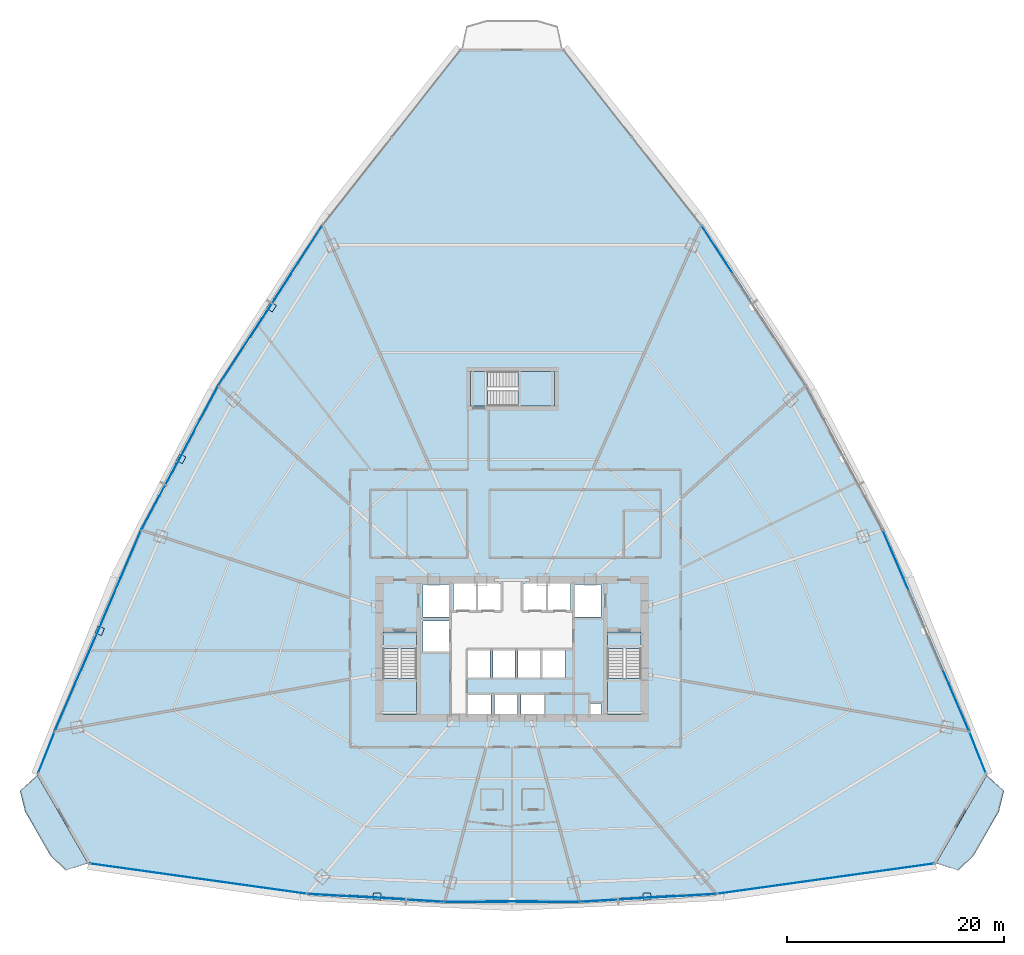
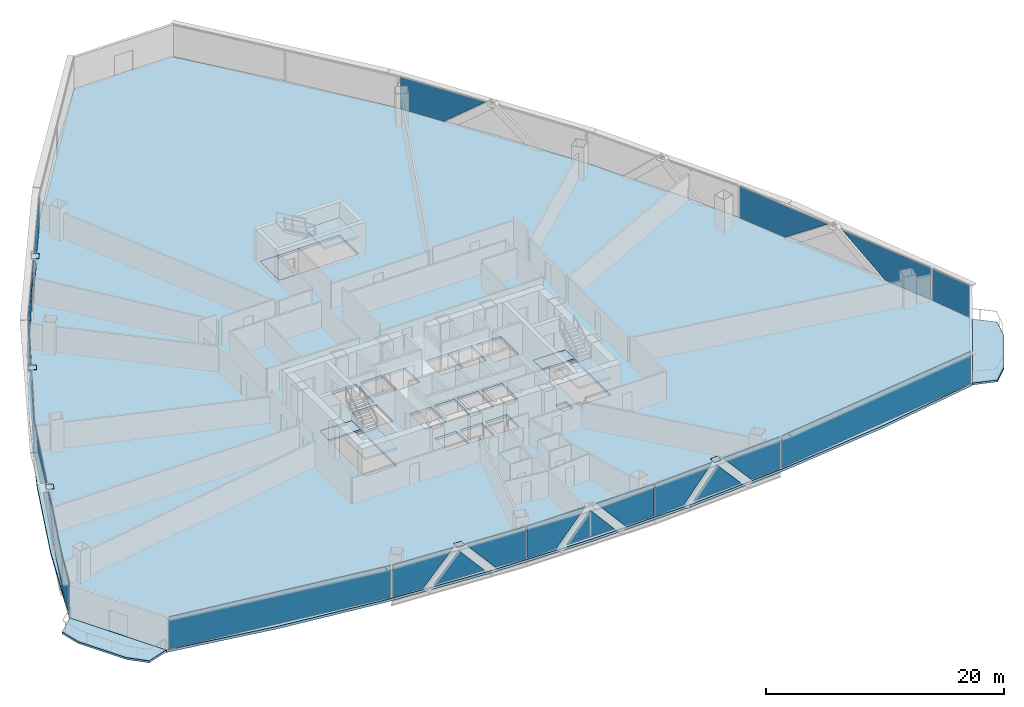
# One storey, part 28 of 38: 30 plates, 9 slabs, 15 elements without a shape of their own.
"""IFC4 building model written with IfcOpenShell, lengths in metres."""

from ifc_helpers import new_model, si_unit, direction, frame, origin, origin_2d, place, context, subcontext, project, spatial, polyline, rectangle, outline, extrude, source, transform, mapped, material, layer, layer_set, type_object, element, aggregate, save


model = new_model("IFC4")

# Units and contexts
model_context = context("Model", 3, precision=1e-05, world=origin(), true_north=direction((0.0, 1.0)))
body_context = subcontext(model_context, "Body", "Model", "MODEL_VIEW")
ifc_project = project(units=[si_unit("LENGTHUNIT", "METRE"), si_unit("AREAUNIT", "SQUARE_METRE"), si_unit("VOLUMEUNIT", "CUBIC_METRE"), si_unit("PLANEANGLEUNIT", "RADIAN"), si_unit("MASSUNIT", "GRAM", prefix="KILO"), si_unit("THERMODYNAMICTEMPERATUREUNIT", "KELVIN"), si_unit("POWERUNIT", "WATT")], contexts=[model_context])

# Site, building, storey
site_placement = place(None, origin())
site = spatial("IfcSite", under=ifc_project, at=site_placement, CompositionType="ELEMENT")
building_placement = place(site_placement, origin())
building = spatial("IfcBuilding", under=site, at=building_placement, Name="Yunzhuo Pagoda Commons", CompositionType="ELEMENT")
storey_placement = place(building_placement, frame((0.0, 0.0, 37.659912109375)))
storey = spatial("IfcBuildingStorey", under=building, at=storey_placement, Name="L09", CompositionType="ELEMENT", Elevation=37.659912109375)

# Curtain wall, plates
ifc_material_1 = material(Name="Anodized aluminium 6063-T6", Category="aluminium")
ifc_layer_1 = layer(ifc_material_1, 0.1650390625)
ifc_layer_set_1 = layer_set([ifc_layer_1], Name="Anodized aluminium 6063-T6")
curtain_wall_type = type_object("IfcCurtainWallType", Name="CW-LOW Low-Zone Ribbon Curtain Wall", PredefinedType="NOTDEFINED", material=ifc_layer_set_1)
curtain_wall_1_placement = place(storey_placement, origin())
curtain_wall_1 = element("IfcCurtainWall", 1, at=curtain_wall_1_placement, inside=storey, type_object=curtain_wall_type, Name="L09 curtain wall CW-L09-F1B2", PredefinedType="NOTDEFINED")
ifc_material_2 = material(Name="Tempered low-e double glazing", Category="glass")
ifc_layer_2 = layer(ifc_material_2, 0.028076171875)
ifc_layer_set_2 = layer_set([ifc_layer_2], Name="Tempered low-e double glazing")
plate_type_1 = type_object("IfcPlateType", Name="CW-LOW-P Low-E Double Glazing 28", PredefinedType="CURTAIN_PANEL", material=ifc_layer_set_2)
plate_1_placement = place(storey_placement, frame((32.09521484375, 11.124755859375, 1.68505859375), z_axis=(-0.05789866519, -0.998322465223, 0.0), x_axis=(0.998322465223, -0.05789866519, 0.0)))
plate_1 = element("IfcPlate", 2, at=plate_1_placement, type_object=plate_type_1, Name="CW panel 1.1 lite 1", PredefinedType="CURTAIN_PANEL", context=body_context, shape_type="SweptSolid", body=[
    extrude(outline(polyline([(-2.847412109375, -1.625), (0.020263671875, -1.625), (2.84716796875, 1.625), (-2.847412109375, 1.625), (-2.847412109375, -1.625)])), origin(), (0.0, 0.0, 1.0), 0.028076171875),
])
plate_2_placement = place(storey_placement, frame((35.494140625, 10.957763671875, 1.425537109375), z_axis=(-0.05789866519, -0.998322465223, 0.0), x_axis=(0.998322465223, -0.05789866519, 0.0)))
plate_2 = element("IfcPlate", 3, at=plate_2_placement, type_object=plate_type_1, Name="CW panel 1.1 lite 2", PredefinedType="CURTAIN_PANEL", context=body_context, shape_type="SweptSolid", body=[
    extrude(outline(polyline([(-2.37548828125, -1.365478515625), (2.37548828125, -1.365478515625), (0.0, 1.365478515625), (-2.37548828125, -1.365478515625)])), origin(), (0.0, 0.0, 1.0), 0.028076171875),
])
plate_3_placement = place(storey_placement, frame((38.889892578125, 10.730712890625, 1.68505859375), z_axis=(-0.05789866519, -0.998322465223, 0.0), x_axis=(0.998322465223, -0.05789866519, 0.0)))
plate_3 = element("IfcPlate", 4, at=plate_3_placement, type_object=plate_type_1, Name="CW panel 1.1 lite 3", PredefinedType="CURTAIN_PANEL", context=body_context, shape_type="SweptSolid", body=[
    extrude(outline(polyline([(-2.84716796875, 1.625), (-0.020263671875, -1.625), (2.84716796875, -1.625), (2.84716796875, 1.625), (-2.84716796875, 1.625)])), origin(), (0.0, 0.0, 1.0), 0.028076171875),
])
aggregate(curtain_wall_1, [plate_1, plate_2, plate_3])

curtain_wall_2_placement = place(storey_placement, origin())
curtain_wall_2 = element("IfcCurtainWall", 5, at=curtain_wall_2_placement, inside=storey, type_object=curtain_wall_type, Name="L09 curtain wall CW-L09-F1B3", PredefinedType="NOTDEFINED")
plate_4_placement = place(storey_placement, frame((44.6552734375, 10.56201171875, 1.68505859375), z_axis=(0.0, -1.0, 0.0), x_axis=(1.0, 0.0, 0.0)))
plate_4 = element("IfcPlate", 6, at=plate_4_placement, type_object=plate_type_1, Name="CW panel 1.1 lite 1", PredefinedType="CURTAIN_PANEL", context=body_context, shape_type="SweptSolid", body=[
    extrude(outline(polyline([(-2.793701171875, -1.625), (0.0166015625, -1.625), (2.793701171875, 1.625), (-2.793701171875, 1.625), (-2.793701171875, -1.625)])), origin(), (0.0, 0.0, 1.0), 0.028076171875),
])
plate_5_placement = place(storey_placement, frame((48.0, 10.59228515625, 1.422607421875), z_axis=(0.0, -1.0, 0.0), x_axis=(1.0, 0.0, 0.0)))
plate_5 = element("IfcPlate", 7, at=plate_5_placement, type_object=plate_type_1, Name="CW panel 1.1 lite 2", PredefinedType="CURTAIN_PANEL", context=body_context, shape_type="SweptSolid", body=[
    extrude(outline(polyline([(-2.328369140625, -1.362548828125), (2.328369140625, -1.362548828125), (0.0, 1.362548828125), (-2.328369140625, -1.362548828125)])), origin(), (0.0, 0.0, 1.0), 0.028076171875),
])
plate_6_placement = place(storey_placement, frame((51.3447265625, 10.56201171875, 1.68505859375), z_axis=(0.0, -1.0, 0.0), x_axis=(1.0, 0.0, 0.0)))
plate_6 = element("IfcPlate", 8, at=plate_6_placement, type_object=plate_type_1, Name="CW panel 1.1 lite 3", PredefinedType="CURTAIN_PANEL", context=body_context, shape_type="SweptSolid", body=[
    extrude(outline(polyline([(-2.793701171875, 1.625), (-0.0166015625, -1.625), (2.793701171875, -1.625), (2.793701171875, 1.625), (-2.793701171875, 1.625)])), origin(), (0.0, 0.0, 1.0), 0.028076171875),
])
aggregate(curtain_wall_2, [plate_4, plate_5, plate_6])

curtain_wall_3_placement = place(storey_placement, origin())
curtain_wall_3 = element("IfcCurtainWall", 9, at=curtain_wall_3_placement, inside=storey, type_object=curtain_wall_type, Name="L09 curtain wall CW-L09-F1B4", PredefinedType="NOTDEFINED")
plate_7_placement = place(storey_placement, frame((57.110107421875, 10.730712890625, 1.68505859375), z_axis=(0.05789866519, -0.998322465223, 0.0), x_axis=(0.998322465223, 0.05789866519, 0.0)))
plate_7 = element("IfcPlate", 10, at=plate_7_placement, type_object=plate_type_1, Name="CW panel 1.1 lite 1", PredefinedType="CURTAIN_PANEL", context=body_context, shape_type="SweptSolid", body=[
    extrude(outline(polyline([(-2.847412109375, -1.625), (0.020263671875, -1.625), (2.84716796875, 1.625), (-2.847412109375, 1.625), (-2.847412109375, -1.625)])), origin(), (0.0, 0.0, 1.0), 0.028076171875),
])
plate_8_placement = place(storey_placement, frame((60.505859375, 10.957763671875, 1.425537109375), z_axis=(0.05789866519, -0.998322465223, 0.0), x_axis=(0.998322465223, 0.05789866519, 0.0)))
plate_8 = element("IfcPlate", 11, at=plate_8_placement, type_object=plate_type_1, Name="CW panel 1.1 lite 2", PredefinedType="CURTAIN_PANEL", context=body_context, shape_type="SweptSolid", body=[
    extrude(outline(polyline([(-2.37548828125, -1.365478515625), (2.37548828125, -1.365478515625), (0.0, 1.365478515625), (-2.37548828125, -1.365478515625)])), origin(), (0.0, 0.0, 1.0), 0.028076171875),
])
plate_9_placement = place(storey_placement, frame((63.90478515625, 11.124755859375, 1.68505859375), z_axis=(0.05789866519, -0.998322465223, 0.0), x_axis=(0.998322465223, 0.05789866519, 0.0)))
plate_9 = element("IfcPlate", 12, at=plate_9_placement, type_object=plate_type_1, Name="CW panel 1.1 lite 3", PredefinedType="CURTAIN_PANEL", context=body_context, shape_type="SweptSolid", body=[
    extrude(outline(polyline([(-2.84716796875, 1.625), (-0.020263671875, -1.625), (2.84716796875, -1.625), (2.84716796875, 1.625), (-2.84716796875, 1.625)])), origin(), (0.0, 0.0, 1.0), 0.028076171875),
])
aggregate(curtain_wall_3, [plate_7, plate_8, plate_9])

curtain_wall_4_placement = place(storey_placement, origin())
curtain_wall_4 = element("IfcCurtainWall", 13, at=curtain_wall_4_placement, inside=storey, type_object=curtain_wall_type, Name="L09 curtain wall CW-L09-F2B2", PredefinedType="NOTDEFINED")
plate_10_placement = place(storey_placement, frame((88.22802734375, 30.59326171875, 1.68505859375), z_axis=(0.918745212535, 0.394850901535, 0.0), x_axis=(-0.394850901535, 0.918745212535, 0.0)))
plate_10 = element("IfcPlate", 14, at=plate_10_placement, type_object=plate_type_1, Name="CW panel 1.1 lite 1", PredefinedType="CURTAIN_PANEL", context=body_context, shape_type="SweptSolid", body=[
    extrude(outline(polyline([(-4.63916015625, -1.625), (0.128173828125, -1.625), (4.63916015625, 1.625), (-4.63916015625, 1.625), (-4.63916015625, -1.625)])), origin(), (0.0, 0.0, 1.0), 0.028076171875),
])
plate_11_placement = place(storey_placement, frame((83.9853515625, 40.46533203125, 1.68505859375), z_axis=(0.918745212535, 0.394850901535, 0.0), x_axis=(-0.394850901535, 0.918745212535, 0.0)))
plate_11 = element("IfcPlate", 15, at=plate_11_placement, type_object=plate_type_1, Name="CW panel 1.1 lite 3", PredefinedType="CURTAIN_PANEL", context=body_context, shape_type="SweptSolid", body=[
    extrude(outline(polyline([(-4.63916015625, 1.625), (-0.128173828125, -1.625), (4.63916015625, -1.625), (4.63916015625, 1.625), (-4.63916015625, 1.625)])), origin(), (0.0, 0.0, 1.0), 0.028076171875),
])
aggregate(curtain_wall_4, [plate_10, plate_11])

# Curtain wall, plate
curtain_wall_5_placement = place(storey_placement, origin())
curtain_wall_5 = element("IfcCurtainWall", 16, at=curtain_wall_5_placement, inside=storey, type_object=curtain_wall_type, Name="L09 curtain wall CW-L09-F2B4", PredefinedType="NOTDEFINED")
plate_12_placement = place(storey_placement, frame((67.6669921875, 69.4140625, 1.68505859375), z_axis=(0.83865240069, 0.544667009114, 0.0), x_axis=(-0.544667009114, 0.83865240069, 0.0)))
plate_12 = element("IfcPlate", 17, at=plate_12_placement, type_object=plate_type_1, Name="CW panel 1.1 lite 3", PredefinedType="CURTAIN_PANEL", context=body_context, shape_type="SweptSolid", body=[
    extrude(outline(polyline([(-4.046142578125, 1.625), (-0.09375, -1.625), (4.0458984375, -1.625), (4.0458984375, 1.625), (-4.046142578125, 1.625)])), origin(), (0.0, 0.0, 1.0), 0.028076171875),
])
aggregate(curtain_wall_5, [plate_12])

# Curtain wall, plates
curtain_wall_6_placement = place(storey_placement, origin())
curtain_wall_6 = element("IfcCurtainWall", 18, at=curtain_wall_6_placement, inside=storey, type_object=curtain_wall_type, Name="L09 curtain wall CW-L09-F3B2", PredefinedType="NOTDEFINED")
plate_13_placement = place(storey_placement, frame((28.3330078125, 69.4140625, 1.68505859375), z_axis=(-0.83865240069, 0.544667009114, 0.0), x_axis=(-0.544667009114, -0.83865240069, 0.0)))
plate_13 = element("IfcPlate", 19, at=plate_13_placement, type_object=plate_type_1, Name="CW panel 1.1 lite 1", PredefinedType="CURTAIN_PANEL", context=body_context, shape_type="SweptSolid", body=[
    extrude(outline(polyline([(-4.0458984375, -1.625), (0.093994140625, -1.625), (4.046142578125, 1.625), (-4.0458984375, 1.625), (-4.0458984375, -1.625)])), origin(), (0.0, 0.0, 1.0), 0.028076171875),
])
plate_14_placement = place(storey_placement, frame((25.7890625, 65.441650390625, 1.468994140625), z_axis=(-0.83865240069, 0.544667009114, 0.0), x_axis=(-0.544667009114, -0.83865240069, 0.0)))
plate_14 = element("IfcPlate", 20, at=plate_14_placement, type_object=plate_type_1, Name="CW panel 1.1 lite 2", PredefinedType="CURTAIN_PANEL", context=body_context, shape_type="SweptSolid", body=[
    extrude(outline(polyline([(-3.4267578125, -1.408935546875), (3.4267578125, -1.408935546875), (0.0, 1.408935546875), (-3.4267578125, -1.408935546875)])), origin(), (0.0, 0.0, 1.0), 0.028076171875),
])
plate_15_placement = place(storey_placement, frame((23.194580078125, 61.501953125, 1.68505859375), z_axis=(-0.83865240069, 0.544667009114, 0.0), x_axis=(-0.544667009114, -0.83865240069, 0.0)))
plate_15 = element("IfcPlate", 21, at=plate_15_placement, type_object=plate_type_1, Name="CW panel 1.1 lite 3", PredefinedType="CURTAIN_PANEL", context=body_context, shape_type="SweptSolid", body=[
    extrude(outline(polyline([(-4.046142578125, 1.625), (-0.093994140625, -1.625), (4.0458984375, -1.625), (4.0458984375, 1.625), (-4.046142578125, 1.625)])), origin(), (0.0, 0.0, 1.0), 0.028076171875),
])
aggregate(curtain_wall_6, [plate_13, plate_14, plate_15])

curtain_wall_7_placement = place(storey_placement, origin())
curtain_wall_7 = element("IfcCurtainWall", 22, at=curtain_wall_7_placement, inside=storey, type_object=curtain_wall_type, Name="L09 curtain wall CW-L09-F3B3", PredefinedType="NOTDEFINED")
plate_16_placement = place(storey_placement, frame((19.313232421875, 54.97802734375, 1.68505859375), z_axis=(-0.882141395132, 0.470984669595, 0.0), x_axis=(-0.470984669595, -0.882141395132, 0.0)))
plate_16 = element("IfcPlate", 23, at=plate_16_placement, type_object=plate_type_1, Name="CW panel 1.1 lite 1", PredefinedType="CURTAIN_PANEL", context=body_context, shape_type="SweptSolid", body=[
    extrude(outline(polyline([(-3.423095703125, -1.625), (0.056396484375, -1.625), (3.423095703125, 1.625), (-3.423095703125, 1.625), (-3.423095703125, -1.625)])), origin(), (0.0, 0.0, 1.0), 0.028076171875),
])
plate_17_placement = place(storey_placement, frame((17.4404296875, 51.406494140625, 1.450927734375), z_axis=(-0.882141395132, 0.470984669595, 0.0), x_axis=(-0.470984669595, -0.882141395132, 0.0)))
plate_17 = element("IfcPlate", 24, at=plate_17_placement, type_object=plate_type_1, Name="CW panel 1.1 lite 2", PredefinedType="CURTAIN_PANEL", context=body_context, shape_type="SweptSolid", body=[
    extrude(outline(polyline([(-2.881591796875, -1.390869140625), (2.881591796875, -1.390869140625), (0.0, 1.390869140625), (-2.881591796875, -1.390869140625)])), origin(), (0.0, 0.0, 1.0), 0.028076171875),
])
plate_18_placement = place(storey_placement, frame((15.5146484375, 47.863525390625, 1.68505859375), z_axis=(-0.882141395132, 0.470984669595, 0.0), x_axis=(-0.470984669595, -0.882141395132, 0.0)))
plate_18 = element("IfcPlate", 25, at=plate_18_placement, type_object=plate_type_1, Name="CW panel 1.1 lite 3", PredefinedType="CURTAIN_PANEL", context=body_context, shape_type="SweptSolid", body=[
    extrude(outline(polyline([(-3.423095703125, 1.625), (-0.056396484375, -1.625), (3.42333984375, -1.625), (3.42333984375, 1.625), (-3.423095703125, 1.625)])), origin(), (0.0, 0.0, 1.0), 0.028076171875),
])
aggregate(curtain_wall_7, [plate_16, plate_17, plate_18])

curtain_wall_8_placement = place(storey_placement, origin())
curtain_wall_8 = element("IfcCurtainWall", 26, at=curtain_wall_8_placement, inside=storey, type_object=curtain_wall_type, Name="L09 curtain wall CW-L09-F3B4", PredefinedType="NOTDEFINED")
plate_19_placement = place(storey_placement, frame((12.0146484375, 40.46533203125, 1.68505859375), z_axis=(-0.918745212535, 0.394850901535, 0.0), x_axis=(-0.394850901535, -0.918745212535, 0.0)))
plate_19 = element("IfcPlate", 27, at=plate_19_placement, type_object=plate_type_1, Name="CW panel 1.1 lite 1", PredefinedType="CURTAIN_PANEL", context=body_context, shape_type="SweptSolid", body=[
    extrude(outline(polyline([(-4.63916015625, -1.625), (0.128173828125, -1.625), (4.63916015625, 1.625), (-4.63916015625, 1.625), (-4.63916015625, -1.625)])), origin(), (0.0, 0.0, 1.0), 0.028076171875),
])
plate_20_placement = place(storey_placement, frame((9.9208984375, 35.517578125, 1.48095703125), z_axis=(-0.918745212535, 0.394850901535, 0.0), x_axis=(-0.394850901535, -0.918745212535, 0.0)))
plate_20 = element("IfcPlate", 28, at=plate_20_placement, type_object=plate_type_1, Name="CW panel 1.1 lite 2", PredefinedType="CURTAIN_PANEL", context=body_context, shape_type="SweptSolid", body=[
    extrude(outline(polyline([(-3.944091796875, -1.4208984375), (3.944091796875, -1.4208984375), (0.0, 1.4208984375), (-3.944091796875, -1.4208984375)])), origin(), (0.0, 0.0, 1.0), 0.028076171875),
])
plate_21_placement = place(storey_placement, frame((7.77197265625, 30.59326171875, 1.68505859375), z_axis=(-0.918745212535, 0.394850901535, 0.0), x_axis=(-0.394850901535, -0.918745212535, 0.0)))
plate_21 = element("IfcPlate", 29, at=plate_21_placement, type_object=plate_type_1, Name="CW panel 1.1 lite 3", PredefinedType="CURTAIN_PANEL", context=body_context, shape_type="SweptSolid", body=[
    extrude(outline(polyline([(-4.63916015625, 1.625), (-0.128173828125, -1.625), (4.63916015625, -1.625), (4.63916015625, 1.625), (-4.63916015625, 1.625)])), origin(), (0.0, 0.0, 1.0), 0.028076171875),
])
aggregate(curtain_wall_8, [plate_19, plate_20, plate_21])

# Slabs
ifc_material_3 = material(Name="Concrete C40", Category="concrete")
ifc_layer_3 = layer(ifc_material_3, 0.199951171875)
ifc_layer_set_3 = layer_set([ifc_layer_3], Name="Concrete C40")
slab_type_1 = type_object("IfcSlabType", Name="SL-BAL Vertex Balcony Deck Slab 200", PredefinedType="FLOOR", material=ifc_layer_set_3)
slab_1_placement = place(storey_placement, frame((0.0, 0.0, -0.199951171875)))
element("IfcSlab", 30, at=slab_1_placement, inside=storey, type_object=slab_type_1, Name="L09 corner balcony V1", PredefinedType="FLOOR", context=body_context, shape_type="SweptSolid", body=[
    extrude(outline(polyline([(4.287109375, 22.2197265625), (8.95068359375, 14.097412109375), (6.90966796875, 13.444580078125), (5.490966796875, 14.81103515625), (3.1591796875, 18.872314453125), (2.694091796875, 20.786376953125), (4.287109375, 22.2197265625)])), origin(), (0.0, 0.0, 1.0), 0.199951171875),
])
slab_2_placement = place(storey_placement, frame((0.0, 0.0, -0.199951171875)))
element("IfcSlab", 31, at=slab_2_placement, inside=storey, type_object=slab_type_1, Name="L09 corner balcony V2", PredefinedType="FLOOR", context=body_context, shape_type="SweptSolid", body=[
    extrude(outline(polyline([(87.04931640625, 14.097412109375), (91.712890625, 22.2197265625), (93.305908203125, 20.786376953125), (92.8408203125, 18.872314453125), (90.509033203125, 14.81103515625), (89.09033203125, 13.444580078125), (87.04931640625, 14.097412109375)])), origin(), (0.0, 0.0, 1.0), 0.199951171875),
])

# Stair, slabs
stair_type_1 = type_object("IfcStairType", Name="ST-C1 Core Smokeproof Stair ST1", PredefinedType="HALF_TURN_STAIR", material=ifc_material_3)
stair_1_placement = place(storey_placement, origin())
stair_1 = element("IfcStair", 32, at=stair_1_placement, inside=storey, type_object=stair_type_1, Name="L09 Core smokeproof stair ST1", PredefinedType="HALF_TURN_STAIR")
ifc_layer_4 = layer(ifc_material_3, 0.199951171875)
ifc_layer_set_4 = layer_set([ifc_layer_4], Name="Concrete C40")
slab_type_2 = type_object("IfcSlabType", Name="SL-LND1 Stair Landing Slab 200", PredefinedType="LANDING", material=ifc_layer_set_4)
slab_3_placement = place(storey_placement, frame((0.0, 0.0, 1.614990234375)))
slab_3 = element("IfcSlab", 33, at=slab_3_placement, type_object=slab_type_2, Name="ST1 landing 1", PredefinedType="LANDING", context=body_context, shape_type="SweptSolid", body=[
    extrude(outline(polyline([(36.10009765625, 31.10009765625), (36.10009765625, 27.800048828125), (39.199951171875, 27.800048828125), (39.199951171875, 31.10009765625), (36.10009765625, 31.10009765625)])), origin(), (0.0, 0.0, 1.0), 0.2001953125),
])
slab_4_placement = place(storey_placement, frame((0.0, 0.0, -0.199951171875)))
slab_4 = element("IfcSlab", 34, at=slab_4_placement, type_object=slab_type_2, Name="ST1 floor landing L09", PredefinedType="LANDING", context=body_context, shape_type="SweptSolid", body=[
    extrude(outline(polyline([(36.10009765625, 35.39990234375), (36.10009765625, 33.89990234375), (39.199951171875, 33.89990234375), (39.199951171875, 35.39990234375), (36.10009765625, 35.39990234375)])), origin(), (0.0, 0.0, 1.0), 0.199951171875),
])
aggregate(stair_1, [slab_3, slab_4])

stair_type_2 = type_object("IfcStairType", Name="ST-C2 Core Smokeproof Stair ST2", PredefinedType="HALF_TURN_STAIR", material=ifc_material_3)
stair_2_placement = place(storey_placement, origin())
stair_2 = element("IfcStair", 35, at=stair_2_placement, inside=storey, type_object=stair_type_2, Name="L09 Core smokeproof stair ST2", PredefinedType="HALF_TURN_STAIR")
ifc_layer_5 = layer(ifc_material_3, 0.201904296875)
ifc_layer_set_5 = layer_set([ifc_layer_5], Name="Concrete C40")
slab_type_3 = type_object("IfcSlabType", Name="SL-LND2 Stair Landing Slab 202", PredefinedType="LANDING", material=ifc_layer_set_5)
slab_5_placement = place(storey_placement, frame((0.0, 0.0, 1.614990234375)))
slab_5 = element("IfcSlab", 36, at=slab_5_placement, type_object=slab_type_3, Name="ST2 landing 1", PredefinedType="LANDING", context=body_context, shape_type="SweptSolid", body=[
    extrude(outline(polyline([(56.800048828125, 31.10009765625), (56.800048828125, 27.800048828125), (59.89990234375, 27.800048828125), (59.89990234375, 31.10009765625), (56.800048828125, 31.10009765625)])), origin(), (0.0, 0.0, 1.0), 0.2001953125),
])
slab_6_placement = place(storey_placement, frame((0.0, 0.0, -0.199951171875)))
slab_6 = element("IfcSlab", 37, at=slab_6_placement, type_object=slab_type_3, Name="ST2 floor landing L09", PredefinedType="LANDING", context=body_context, shape_type="SweptSolid", body=[
    extrude(outline(polyline([(56.800048828125, 35.39990234375), (56.800048828125, 33.89990234375), (59.89990234375, 33.89990234375), (59.89990234375, 35.39990234375), (56.800048828125, 35.39990234375)])), origin(), (0.0, 0.0, 1.0), 0.199951171875),
])
aggregate(stair_2, [slab_5, slab_6])

stair_type_3 = type_object("IfcStairType", Name="ST-C3 North Tower Smokeproof Stair ST3", PredefinedType="HALF_TURN_STAIR", material=ifc_material_3)
stair_3_placement = place(storey_placement, origin())
stair_3 = element("IfcStair", 38, at=stair_3_placement, inside=storey, type_object=stair_type_3, Name="L09 North tower smokeproof stair ST3", PredefinedType="HALF_TURN_STAIR")
ifc_layer_6 = layer(ifc_material_3, 0.2041015625)
ifc_layer_set_6 = layer_set([ifc_layer_6], Name="Concrete C40")
slab_type_4 = type_object("IfcSlabType", Name="SL-LND5 North Landing Slab 204", PredefinedType="LANDING", material=ifc_layer_set_6)
slab_7_placement = place(storey_placement, frame((0.0, 0.0, 1.614990234375)))
slab_7 = element("IfcSlab", 39, at=slab_7_placement, type_object=slab_type_4, Name="ST3 landing 1", PredefinedType="LANDING", context=body_context, shape_type="SweptSolid", body=[
    extrude(outline(polyline([(48.550048828125, 56.199951171875), (51.89990234375, 56.199951171875), (51.89990234375, 59.39990234375), (48.550048828125, 59.39990234375), (48.550048828125, 56.199951171875)])), origin(), (0.0, 0.0, 1.0), 0.2001953125),
])
slab_8_placement = place(storey_placement, frame((0.0, 0.0, -0.199951171875)))
slab_8 = element("IfcSlab", 40, at=slab_8_placement, type_object=slab_type_4, Name="ST3 floor landing L09", PredefinedType="LANDING", context=body_context, shape_type="SweptSolid", body=[
    extrude(outline(polyline([(44.199951171875, 56.199951171875), (45.75, 56.199951171875), (45.75, 59.39990234375), (44.199951171875, 59.39990234375), (44.199951171875, 56.199951171875)])), origin(), (0.0, 0.0, 1.0), 0.199951171875),
])
aggregate(stair_3, [slab_7, slab_8])

# Slab
ifc_layer_7 = layer(ifc_material_3, 0.260009765625)
ifc_layer_set_7 = layer_set([ifc_layer_7], Name="Concrete C40")
slab_type_5 = type_object("IfcSlabType", Name="SL-TWR Typical Tower Floor Slab 260", PredefinedType="FLOOR", material=ifc_layer_set_7)
slab_9_placement = place(storey_placement, frame((0.0, 0.0, -0.260009765625)))
element("IfcSlab", 41, at=slab_9_placement, inside=storey, type_object=slab_type_5, Name="L09 structural floor slab", PredefinedType="FLOOR", context=body_context, shape_type="SweptSolid", body=[
    extrude(outline(polyline([(7.736083984375, 31.42138671875), (11.59130859375, 40.381103515625), (15.8564453125, 49.101318359375), (20.531982421875, 57.582275390625), (25.617919921875, 65.823486328125), (31.11376953125, 73.825439453125), (37.02001953125, 81.587890625), (43.33642578125, 89.11083984375), (52.66357421875, 89.11083984375), (58.97998046875, 81.587890625), (64.88623046875, 73.825439453125), (70.382080078125, 65.823486328125), (75.468017578125, 57.582275390625), (80.1435546875, 49.101318359375), (84.40869140625, 40.381103515625), (88.263916015625, 31.42138671875), (91.708740234375, 22.222412109375), (87.045166015625, 14.10009765625), (77.28369140625, 12.4375), (67.522705078125, 11.25), (57.76123046875, 10.53759765625), (48.0, 10.300048828125), (38.23876953125, 10.53759765625), (28.4775390625, 11.25), (18.71630859375, 12.4375), (8.954833984375, 14.10009765625), (4.291259765625, 22.222412109375), (7.736083984375, 31.42138671875)]), holes=[polyline([(46.050048828125, 27.60009765625), (46.050048828125, 29.64990234375), (43.949951171875, 29.64990234375), (43.949951171875, 27.60009765625), (46.050048828125, 27.60009765625)]), polyline([(48.5, 27.60009765625), (48.5, 29.64990234375), (46.39990234375, 29.64990234375), (46.39990234375, 27.60009765625), (48.5, 27.60009765625)]), polyline([(36.10009765625, 27.800048828125), (39.199951171875, 27.800048828125), (39.199951171875, 35.39990234375), (36.10009765625, 35.39990234375), (36.10009765625, 27.800048828125)]), polyline([(45.969970703125, 31.199951171875), (45.969970703125, 33.800048828125), (43.929931640625, 33.800048828125), (43.929931640625, 31.199951171875), (45.969970703125, 31.199951171875)]), polyline([(48.27001953125, 31.199951171875), (48.27001953125, 33.800048828125), (46.22998046875, 33.800048828125), (46.22998046875, 31.199951171875), (48.27001953125, 31.199951171875)]), polyline([(42.199951171875, 33.60009765625), (42.199951171875, 36.39990234375), (39.800048828125, 36.39990234375), (39.800048828125, 33.60009765625), (42.199951171875, 33.60009765625)]), polyline([(42.199951171875, 36.800048828125), (42.199951171875, 39.800048828125), (39.800048828125, 39.800048828125), (39.800048828125, 36.800048828125), (42.199951171875, 36.800048828125)]), polyline([(42.60009765625, 37.39990234375), (44.699951171875, 37.39990234375), (44.699951171875, 39.85009765625), (42.60009765625, 39.85009765625), (42.60009765625, 37.39990234375)]), polyline([(44.85009765625, 37.39990234375), (46.949951171875, 37.39990234375), (46.949951171875, 39.85009765625), (44.85009765625, 39.85009765625), (44.85009765625, 37.39990234375)]), polyline([(56.179931640625, 27.699951171875), (56.179931640625, 28.800048828125), (55.179931640625, 28.800048828125), (55.179931640625, 27.699951171875), (56.179931640625, 27.699951171875)]), polyline([(50.949951171875, 27.60009765625), (50.949951171875, 29.64990234375), (48.85009765625, 29.64990234375), (48.85009765625, 27.60009765625), (50.949951171875, 27.60009765625)]), polyline([(56.800048828125, 27.800048828125), (59.89990234375, 27.800048828125), (59.89990234375, 35.39990234375), (56.800048828125, 35.39990234375), (56.800048828125, 27.800048828125)]), polyline([(50.570068359375, 31.199951171875), (50.570068359375, 33.800048828125), (48.530029296875, 33.800048828125), (48.530029296875, 31.199951171875), (50.570068359375, 31.199951171875)]), polyline([(52.8701171875, 31.199951171875), (52.8701171875, 33.800048828125), (50.830078125, 33.800048828125), (50.830078125, 31.199951171875), (52.8701171875, 31.199951171875)]), polyline([(56.199951171875, 36.800048828125), (56.199951171875, 39.800048828125), (53.800048828125, 39.800048828125), (53.800048828125, 36.800048828125), (56.199951171875, 36.800048828125)]), polyline([(51.14990234375, 37.39990234375), (51.14990234375, 39.85009765625), (49.050048828125, 39.85009765625), (49.050048828125, 37.39990234375), (51.14990234375, 37.39990234375)]), polyline([(51.300048828125, 37.39990234375), (53.39990234375, 37.39990234375), (53.39990234375, 39.85009765625), (51.300048828125, 39.85009765625), (51.300048828125, 37.39990234375)]), polyline([(44.199951171875, 56.199951171875), (51.89990234375, 56.199951171875), (51.89990234375, 59.39990234375), (44.199951171875, 59.39990234375), (44.199951171875, 56.199951171875)])]), origin(), (0.0, 0.0, 1.0), 0.260009765625),
])

# Plates
ifc_material_4 = material(Name="Structural steel Q355B", Category="steel")
ifc_layer_8 = layer(ifc_material_4, 0.028076171875)
ifc_layer_set_8 = layer_set([ifc_layer_8], Name="Structural steel Q355B")
plate_type_2 = type_object("IfcPlateType", Name="SP-ND1 Lattice Node Cap Plate 800x500x28", PredefinedType="USERDEFINED", material=ifc_layer_set_8)
shared_shape_1 = source(origin(), body_context, "Body", "SweptSolid", [
    extrude(rectangle(XDim=0.699951171875, YDim=0.64453125, at=origin_2d()), origin(), (0.0, 0.0, 1.0), 0.035888671875),
])
for number, where, z_axis, x_axis, name in (
    (42, (35.5625, 11.04296875, 3.33203125), (0.0, 0.0, 1.0), (0.998322672768, -0.057895086472, 0.0), "L09 setback lattice tie plate F1.1L"),
    (43, (60.4375, 11.04296875, 3.33203125), (0.0, 0.0, 1.0), (0.998322672768, 0.057895086472, 0.0), "L09 setback lattice tie plate F1.3L"),
):
    element("IfcPlate", number, at=place(storey_placement, frame(where, z_axis=z_axis, x_axis=x_axis)), inside=storey, type_object=plate_type_2, Name=name, ObjectType="STIFFENER_PLATE", PredefinedType="USERDEFINED", context=body_context, shape_type="MappedRepresentation", body=[
        mapped(shared_shape_1, transform((0.0, 0.0, 0.0), scale=1.0)),
    ])
shared_shape_2 = source(origin(), body_context, "Body", "SweptSolid", [
    extrude(rectangle(XDim=0.699951171875, YDim=0.654296875, at=origin_2d()), origin(), (0.0, 0.0, 1.0), 0.035888671875),
])
plate_22_placement = place(storey_placement, frame((10.032470703125, 35.528076171875, 3.33203125), z_axis=(0.0, 0.0, 1.0), x_axis=(-0.39485610496, -0.918742976232, 0.0)))
element("IfcPlate", 44, at=plate_22_placement, inside=storey, type_object=plate_type_2, Name="L09 setback lattice tie plate F3.3L", ObjectType="STIFFENER_PLATE", PredefinedType="USERDEFINED", context=body_context, shape_type="MappedRepresentation", body=[
    mapped(shared_shape_2, transform((0.0, 0.0, 0.0), scale=1.0)),
])
shared_shape_3 = source(origin(), body_context, "Body", "SweptSolid", [
    extrude(rectangle(XDim=0.699951171875, YDim=0.6259765625, at=origin_2d()), origin(), (0.0, 0.0, 1.0), 0.035888671875),
])
plate_23_placement = place(storey_placement, frame((17.52099609375, 51.3583984375, 3.33203125), z_axis=(0.0, 0.0, 1.0), x_axis=(-0.470981088896, -0.882143306897, 0.0)))
element("IfcPlate", 45, at=plate_23_placement, inside=storey, type_object=plate_type_2, Name="L09 setback lattice tie plate F3.2L", ObjectType="STIFFENER_PLATE", PredefinedType="USERDEFINED", context=body_context, shape_type="MappedRepresentation", body=[
    mapped(shared_shape_3, transform((0.0, 0.0, 0.0), scale=1.0)),
])
shared_shape_4 = source(origin(), body_context, "Body", "SweptSolid", [
    extrude(rectangle(XDim=0.699951171875, YDim=0.648681640625, at=origin_2d()), origin(), (0.0, 0.0, 1.0), 0.035888671875),
])
plate_24_placement = place(storey_placement, frame((25.837890625, 65.34326171875, 3.33203125), z_axis=(0.0, 0.0, 1.0), x_axis=(-0.544668309809, -0.838651555946, 0.0)))
element("IfcPlate", 46, at=plate_24_placement, inside=storey, type_object=plate_type_2, Name="L09 setback lattice tie plate F3.1L", ObjectType="STIFFENER_PLATE", PredefinedType="USERDEFINED", context=body_context, shape_type="MappedRepresentation", body=[
    mapped(shared_shape_4, transform((0.0, 0.0, 0.0), scale=1.0)),
])

# Curtain wall, plate
curtain_wall_9_placement = place(storey_placement, origin())
curtain_wall_9 = element("IfcCurtainWall", 47, at=curtain_wall_9_placement, inside=storey, type_object=curtain_wall_type, Name="L09 curtain wall CW-L09-F1B1", PredefinedType="NOTDEFINED")
shared_shape_5 = source(origin(), body_context, "Body", "SweptSolid", [
    extrude(rectangle(XDim=20.061767578125, YDim=0.028076171875, at=origin_2d()), origin(), (0.0, 0.0, 1.0), 3.25),
])
plate_25_placement = place(storey_placement, frame((19.11376953125, 12.68603515625, 0.06005859375), z_axis=(0.0, 0.0, 1.0), x_axis=(0.99039127052, -0.138293641491, 0.0)))
plate_25 = element("IfcPlate", 48, at=plate_25_placement, type_object=plate_type_1, Name="CW panel 1.1", PredefinedType="CURTAIN_PANEL", context=body_context, shape_type="MappedRepresentation", body=[
    mapped(shared_shape_5, transform((0.0, 0.0, 0.0), scale=1.0)),
])
aggregate(curtain_wall_9, [plate_25])

curtain_wall_10_placement = place(storey_placement, origin())
curtain_wall_10 = element("IfcCurtainWall", 49, at=curtain_wall_10_placement, inside=storey, type_object=curtain_wall_type, Name="L09 curtain wall CW-L09-F1B5", PredefinedType="NOTDEFINED")
plate_26_placement = place(storey_placement, frame((76.88623046875, 12.68603515625, 0.06005859375), z_axis=(0.0, 0.0, 1.0), x_axis=(0.99039127052, 0.138293641491, 0.0)))
plate_26 = element("IfcPlate", 50, at=plate_26_placement, type_object=plate_type_1, Name="CW panel 1.1", PredefinedType="CURTAIN_PANEL", context=body_context, shape_type="MappedRepresentation", body=[
    mapped(shared_shape_5, transform((0.0, 0.0, 0.0), scale=1.0)),
])
aggregate(curtain_wall_10, [plate_26])

curtain_wall_11_placement = place(storey_placement, origin())
curtain_wall_11 = element("IfcCurtainWall", 51, at=curtain_wall_11_placement, inside=storey, type_object=curtain_wall_type, Name="L09 curtain wall CW-L09-F2B1", PredefinedType="NOTDEFINED")
shared_shape_6 = source(origin(), body_context, "Body", "SweptSolid", [
    extrude(rectangle(XDim=3.996826171875, YDim=0.028076171875, at=origin_2d()), origin(), (0.0, 0.0, 1.0), 3.25),
])
plate_27_placement = place(storey_placement, frame((90.884765625, 24.288330078125, 0.06005859375), z_axis=(0.0, 0.0, 1.0), x_axis=(-0.367665224919, 0.929958215398, 0.0)))
plate_27 = element("IfcPlate", 52, at=plate_27_placement, type_object=plate_type_1, Name="CW panel 1.1", PredefinedType="CURTAIN_PANEL", context=body_context, shape_type="MappedRepresentation", body=[
    mapped(shared_shape_6, transform((0.0, 0.0, 0.0), scale=1.0)),
])
aggregate(curtain_wall_11, [plate_27])

curtain_wall_12_placement = place(storey_placement, origin())
curtain_wall_12 = element("IfcCurtainWall", 53, at=curtain_wall_12_placement, inside=storey, type_object=curtain_wall_type, Name="L09 curtain wall CW-L09-F3B5", PredefinedType="NOTDEFINED")
plate_28_placement = place(storey_placement, frame((5.115234375, 24.288330078125, 0.06005859375), z_axis=(0.0, 0.0, 1.0), x_axis=(-0.367665224919, -0.929958215398, 0.0)))
plate_28 = element("IfcPlate", 54, at=plate_28_placement, type_object=plate_type_1, Name="CW panel 1.1", PredefinedType="CURTAIN_PANEL", context=body_context, shape_type="MappedRepresentation", body=[
    mapped(shared_shape_6, transform((0.0, 0.0, 0.0), scale=1.0)),
])
aggregate(curtain_wall_12, [plate_28])

save(model, "model.ifc")
